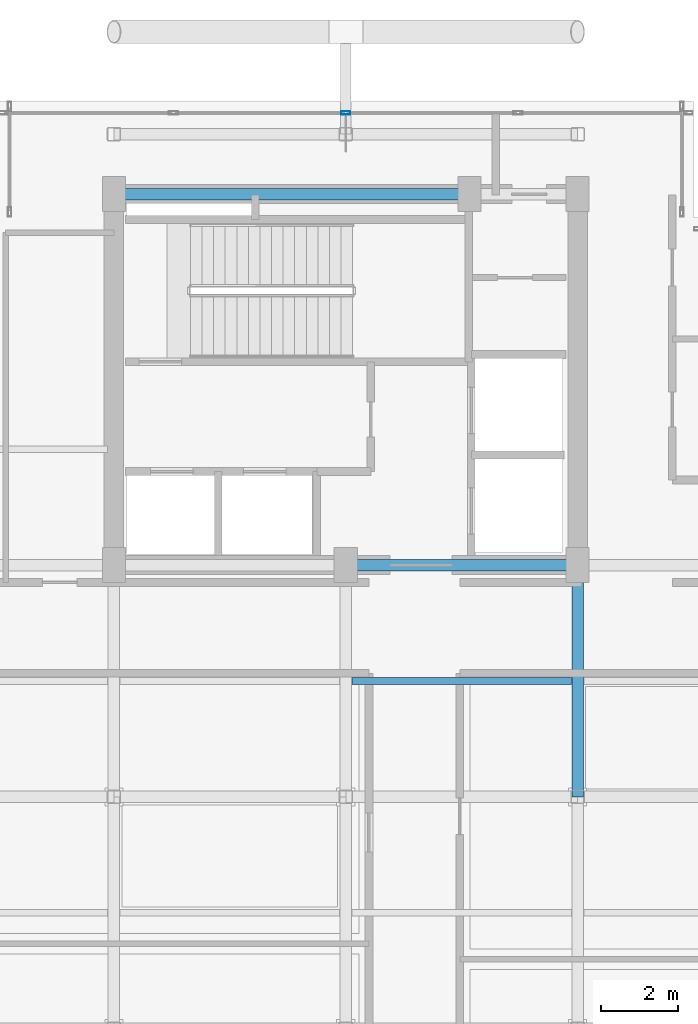
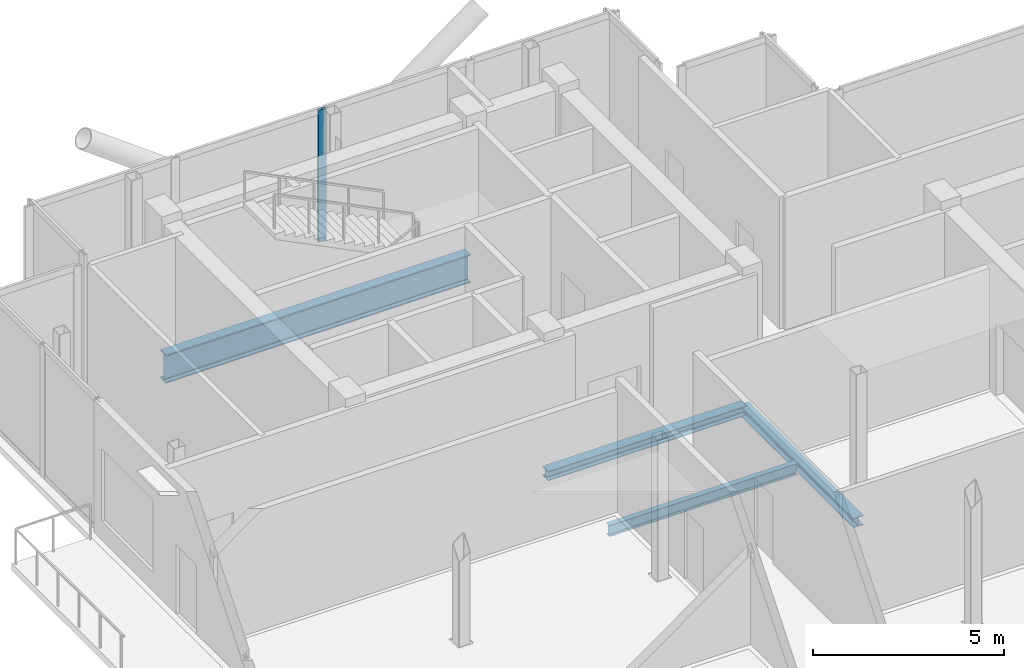
# One storey, part 6 of 16: 4 beams, 1 member, 1 element without a shape of its own.
"""IFC4 building model written with IfcOpenShell, lengths in metres."""

from ifc_helpers import new_model, si_unit, direction, frame, origin, origin_2d, place, context, subcontext, project, spatial, hollow_rectangle, i_section, extrude, material, layer, layer_set, material_profile, profile_set, type_object, element, aggregate, save


model = new_model("IFC4")

# Units and contexts
model_context = context("Model", 3, precision=1e-05, world=origin(), true_north=direction((0.0, 1.0)))
body_context = subcontext(model_context, "Body", "Model", "MODEL_VIEW")
ifc_project = project(units=[si_unit("LENGTHUNIT", "METRE"), si_unit("AREAUNIT", "SQUARE_METRE"), si_unit("VOLUMEUNIT", "CUBIC_METRE"), si_unit("PLANEANGLEUNIT", "RADIAN"), si_unit("MASSUNIT", "GRAM", prefix="KILO"), si_unit("THERMODYNAMICTEMPERATUREUNIT", "KELVIN"), si_unit("POWERUNIT", "WATT")], contexts=[model_context])

# Site, building, storey
site_placement = place(None, origin())
site = spatial("IfcSite", under=ifc_project, at=site_placement, CompositionType="ELEMENT")
building_placement = place(site_placement, origin())
building = spatial("IfcBuilding", under=site, at=building_placement, Name="Svarakhadi Broadcast Tower", CompositionType="ELEMENT")
storey_placement = place(building_placement, frame((0.0, 0.0, 296.39990234375)))
storey = spatial("IfcBuildingStorey", under=building, at=storey_placement, Name="L75", CompositionType="ELEMENT", Elevation=296.39990234375)

# Beam
ifc_material_1 = material(Name="Steel S355J2 (IS 2062 E350C)", Category="steel")
ifc_material_profile_1 = material_profile(ifc_material_1, i_section(OverallWidth=0.169921875, OverallDepth=0.360107421875, WebThickness=0.008056640625, FlangeThickness=0.0126953125, FilletRadius=0.01806640625, at=origin_2d()), Name="NPB 360x170x57")
ifc_profile_set_1 = profile_set([ifc_material_profile_1], Name="Steel S355J2 (IS 2062 E350C)")
beam_type_1 = type_object("IfcBeamType", Name="Beam_NPB360", PredefinedType="BEAM", material=ifc_profile_set_1)
beam_1_placement = place(storey_placement, frame((12.159912109375, 15.0, -0.3798828125), z_axis=(1.0, 0.0, 0.0), x_axis=(0.0, 1.0, 0.0)))
element("IfcBeam", 1, at=beam_1_placement, inside=storey, type_object=beam_type_1, Name="L75 Secondary Composite Beam SB009", PredefinedType="BEAM", context=body_context, shape_type="SweptSolid", body=[
    extrude(i_section(OverallWidth=0.169921875, OverallDepth=0.360107421875, WebThickness=0.008056640625, FlangeThickness=0.0126953125, FilletRadius=0.01806640625, at=origin_2d()), origin(), (0.0, 0.0, 1.0), 5.68017578125),
])

# Curtain wall, member
ifc_material_2 = material(Name="Anodised Bronze Aluminium AA 6063-T6", Category="aluminium")
ifc_layer = layer(ifc_material_2, 0.239990234375)
ifc_layer_set = layer_set([ifc_layer], Name="Anodised Bronze Aluminium AA 6063-T6")
curtain_wall_type = type_object("IfcCurtainWallType", Name="CW_Sys_06", PredefinedType="NOTDEFINED", material=ifc_layer_set)
curtain_wall_placement = place(storey_placement, origin())
curtain_wall = element("IfcCurtainWall", 2, at=curtain_wall_placement, inside=storey, type_object=curtain_wall_type, Name="L75 Unitised Facade Curtain Wall 06", PredefinedType="NOTDEFINED")
ifc_material_profile_2 = material_profile(ifc_material_2, hollow_rectangle(XDim=0.090087890625, YDim=0.239990234375, WallThickness=0.006103515625, at=origin_2d()), Name="ALU MULLION 240x90x6")
ifc_profile_set_2 = profile_set([ifc_material_profile_2], Name="Anodised Bronze Aluminium AA 6063-T6")
member_type = type_object("IfcMemberType", Name="CW_Sys_06_Mul", PredefinedType="MULLION", material=ifc_profile_set_2)
member_placement = place(storey_placement, frame((12.0, 29.699951171875, 0.0), z_axis=(0.0, 0.0, 1.0), x_axis=(0.0, 1.0, 0.0)))
member = element("IfcMember", 3, at=member_placement, type_object=member_type, Name="CW-06 mullion 3", PredefinedType="MULLION", context=body_context, shape_type="SweptSolid", body=[
    extrude(hollow_rectangle(XDim=0.090087890625, YDim=0.239990234375, WallThickness=0.006103515625, at=origin_2d()), origin(), (0.0, 0.0, 1.0), 4.22509765625),
])
aggregate(curtain_wall, [member])

# Beams
ifc_material_profile_3 = material_profile(ifc_material_1, i_section(OverallWidth=0.300048828125, OverallDepth=0.300048828125, WebThickness=0.010986328125, FlangeThickness=0.01904296875, FilletRadius=0.027099609375, at=origin_2d()), Name="WPB 300x300x117")
ifc_profile_set_3 = profile_set([ifc_material_profile_3], Name="Steel S355J2 (IS 2062 E350C)")
beam_type_2 = type_object("IfcBeamType", Name="Girder_WPB300", PredefinedType="USERDEFINED", material=ifc_profile_set_3)
for number, where, z_axis, x_axis, name in (
    (4, (12.0, 18.0, -0.349853515625), (1.0, 0.0, 0.0), (0.0, 1.0, 0.0), "L75 Primary E-W Girder G019"),
    (5, (18.0, 12.0, -0.349853515625), (0.0, 1.0, 0.0), (-1.0, 0.0, 0.0), "L75 Primary N-S Girder G038"),
):
    element("IfcBeam", number, at=place(storey_placement, frame(where, z_axis=z_axis, x_axis=x_axis)), inside=storey, type_object=beam_type_2, Name=name, ObjectType="GIRDER", PredefinedType="USERDEFINED", context=body_context, shape_type="SweptSolid", body=[
        extrude(i_section(OverallWidth=0.300048828125, OverallDepth=0.300048828125, WebThickness=0.010986328125, FlangeThickness=0.01904296875, FilletRadius=0.027099609375, at=origin_2d()), origin(), (0.0, 0.0, 1.0), 6.0),
    ])
ifc_material_3 = material(Name="Steel S460ML (IS 2062 E450BR)", Category="steel")
ifc_material_profile_4 = material_profile(ifc_material_3, i_section(OverallWidth=0.300048828125, OverallDepth=0.89990234375, WebThickness=0.0185546875, FlangeThickness=0.034912109375, FilletRadius=0.030029296875, at=origin_2d()), Name="WPB 900x300x291")
ifc_profile_set_4 = profile_set([ifc_material_profile_4], Name="Steel S460ML (IS 2062 E450BR)")
beam_type_3 = type_object("IfcBeamType", Name="Girder_WPB900", PredefinedType="USERDEFINED", material=ifc_profile_set_4)
beam_2_placement = place(storey_placement, frame((6.0, 27.60009765625, -0.64990234375), z_axis=(1.0, 0.0, 0.0), x_axis=(0.0, 1.0, 0.0)))
element("IfcBeam", 6, at=beam_2_placement, inside=storey, type_object=beam_type_3, Name="L75 Primary E-W Girder G022", ObjectType="GIRDER", PredefinedType="USERDEFINED", context=body_context, shape_type="SweptSolid", body=[
    extrude(i_section(OverallWidth=0.300048828125, OverallDepth=0.89990234375, WebThickness=0.0185546875, FlangeThickness=0.034912109375, FilletRadius=0.030029296875, at=origin_2d()), origin(), (0.0, 0.0, 1.0), 9.199951171875),
])

save(model, "model.ifc")
